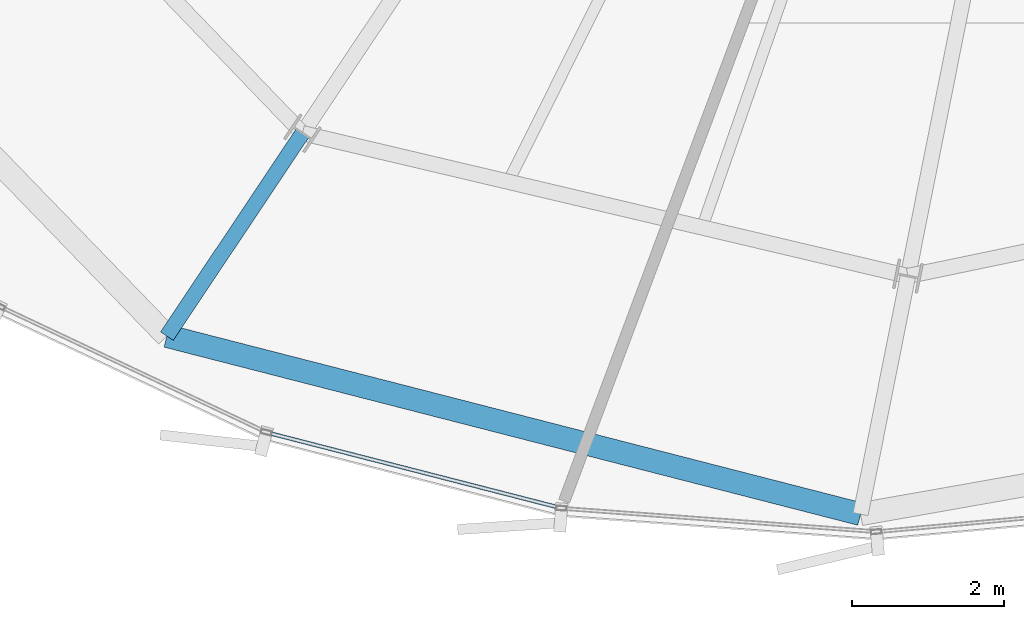
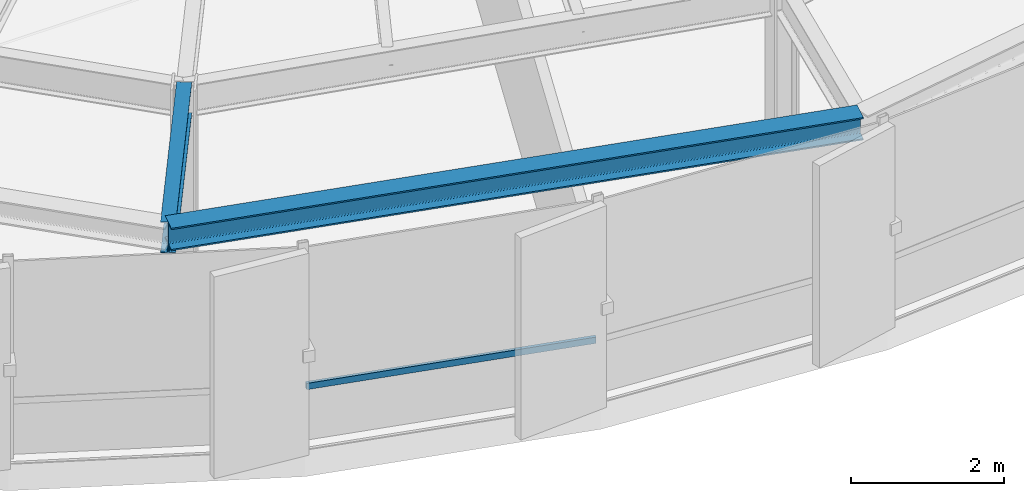
# One storey, part 3 of 36: 2 beams, 1 member, 1 element without a shape of its own.
"""IFC4 building model written with IfcOpenShell, lengths in metres."""

from ifc_helpers import new_model, si_unit, direction, frame, origin, origin_2d, place, context, subcontext, project, spatial, hollow_rectangle, i_section, extrude, source, transform, mapped, material, layer, layer_set, material_profile, profile_set, type_object, element, aggregate, save


model = new_model("IFC4")

# Units and contexts
model_context = context("Model", 3, precision=1e-05, world=origin(), true_north=direction((0.0, 1.0)))
body_context = subcontext(model_context, "Body", "Model", "MODEL_VIEW")
ifc_project = project(units=[si_unit("LENGTHUNIT", "METRE"), si_unit("AREAUNIT", "SQUARE_METRE"), si_unit("VOLUMEUNIT", "CUBIC_METRE"), si_unit("PLANEANGLEUNIT", "RADIAN"), si_unit("MASSUNIT", "GRAM", prefix="KILO"), si_unit("THERMODYNAMICTEMPERATUREUNIT", "KELVIN")], contexts=[model_context])

# Site, building, storey
site_placement = place(None, origin())
site = spatial("IfcSite", under=ifc_project, at=site_placement, CompositionType="ELEMENT")
building_placement = place(site_placement, origin())
building = spatial("IfcBuilding", under=site, at=building_placement, Name="Kethvar Cultural Tower", CompositionType="ELEMENT")
storey_placement = place(building_placement, frame((0.0, 0.0, 176.39990234375)))
storey = spatial("IfcBuildingStorey", under=building, at=storey_placement, Name="L45", CompositionType="ELEMENT", Elevation=176.39990234375)

# Beams
ifc_material_1 = material(Name="Steel S355J2", Category="steel")
ifc_material_profile_1 = material_profile(ifc_material_1, i_section(OverallWidth=0.199951171875, OverallDepth=0.5, WebThickness=0.01025390625, FlangeThickness=0.01611328125, FilletRadius=0.02099609375, at=origin_2d()), Name="Steel S355J2 — IPE500")
ifc_profile_set_1 = profile_set([ifc_material_profile_1], Name="Steel S355J2 — IPE500")
beam_type_1 = type_object("IfcBeamType", Name="BM-IPE500", PredefinedType="BEAM", material=ifc_profile_set_1)
shared_shape_1 = source(origin(), body_context, "Body", "SweptSolid", [
    extrude(i_section(OverallWidth=0.199951171875, OverallDepth=0.5, WebThickness=0.01025390625, FlangeThickness=0.01611328125, FilletRadius=0.02099609375, at=origin_2d()), origin(), (0.0, 0.0, 1.0), 3.199951171875),
])
beam_1_placement = place(storey_placement, frame((34.962646484375, 10.084228515625, 3.008056640625), z_axis=(-0.555580212716, -0.831462943996, 0.0), x_axis=(0.831462943996, -0.555580212716, 0.0)))
element("IfcBeam", 1, at=beam_1_placement, inside=storey, type_object=beam_type_1, Name="L45 Perimeter Cantilever Beam RC-11", PredefinedType="BEAM", context=body_context, shape_type="MappedRepresentation", body=[
    mapped(shared_shape_1, transform((0.0, 0.0, 0.0), scale=1.0)),
])
ifc_material_profile_2 = material_profile(ifc_material_1, i_section(OverallWidth=0.300048828125, OverallDepth=0.360107421875, WebThickness=0.012451171875, FlangeThickness=0.0224609375, FilletRadius=0.027099609375, at=origin_2d()), Name="Steel S355J2 — HEB360")
ifc_profile_set_2 = profile_set([ifc_material_profile_2], Name="Steel S355J2 — HEB360")
beam_type_2 = type_object("IfcBeamType", Name="BM-SP360", PredefinedType="SPANDREL", material=ifc_profile_set_2)
shared_shape_2 = source(origin(), body_context, "Body", "SweptSolid", [
    extrude(i_section(OverallWidth=0.300048828125, OverallDepth=0.360107421875, WebThickness=0.012451171875, FlangeThickness=0.0224609375, FilletRadius=0.027099609375, at=origin_2d()), origin(), (0.0, 0.0, 1.0), 9.392578125),
])
beam_2_placement = place(storey_placement, frame((33.184814453125, 7.423583984375, 3.078125), z_axis=(0.968586368373, -0.248677395438, 0.0), x_axis=(0.248677395438, 0.968586368373, 0.0)))
element("IfcBeam", 2, at=beam_2_placement, inside=storey, type_object=beam_type_2, Name="L45 Perimeter Spandrel Beam SP-11", PredefinedType="SPANDREL", context=body_context, shape_type="MappedRepresentation", body=[
    mapped(shared_shape_2, transform((0.0, 0.0, 0.0), scale=1.0)),
])

# Curtain wall, member
ifc_material_2 = material(Name="Aluminium 6063-T6", Category="aluminium")
ifc_layer = layer(ifc_material_2, 0.179931640625, Name="Aluminium 6063-T6", Category="aluminium")
ifc_layer_set = layer_set([ifc_layer], Name="Aluminium 6063-T6 (180 mm)")
curtain_wall_type = type_object("IfcCurtainWallType", Name="CW-SYS-04-Z34", PredefinedType="NOTDEFINED", material=ifc_layer_set)
curtain_wall_placement = place(storey_placement, origin())
curtain_wall = element("IfcCurtainWall", 3, at=curtain_wall_placement, inside=storey, type_object=curtain_wall_type, Name="L45 Curtain Wall Run 04", PredefinedType="NOTDEFINED")
ifc_material_profile_3 = material_profile(ifc_material_2, hollow_rectangle(XDim=0.050048828125, YDim=0.10009765625, WallThickness=0.00390625, at=origin_2d()), Name="Aluminium 6063-T6 — RHS100x50x4")
ifc_profile_set_3 = profile_set([ifc_material_profile_3], Name="Aluminium 6063-T6 — RHS100x50x4")
member_type = type_object("IfcMemberType", Name="CW-SYS-04-Z34-TRN", PredefinedType="USERDEFINED", material=ifc_profile_set_3)
shared_shape_3 = source(origin(), body_context, "Body", "SweptSolid", [
    extrude(hollow_rectangle(XDim=0.050048828125, YDim=0.10009765625, WallThickness=0.00390625, at=origin_2d()), origin(), (0.0, 0.0, 1.0), 3.930908203125),
])
member_placement = place(storey_placement, frame((34.52978515625, 6.149658203125, 0.9501953125), z_axis=(0.968599846793, -0.248624891742, 0.0), x_axis=(0.248624891742, 0.968599846793, 0.0)))
member = element("IfcMember", 4, at=member_placement, type_object=member_type, Name="CW-L45-R04 Transom 4", ObjectType="TRANSOM", PredefinedType="USERDEFINED", context=body_context, shape_type="MappedRepresentation", body=[
    mapped(shared_shape_3, transform((0.0, 0.0, 0.0), scale=1.0)),
])
aggregate(curtain_wall, [member])

save(model, "model.ifc")
